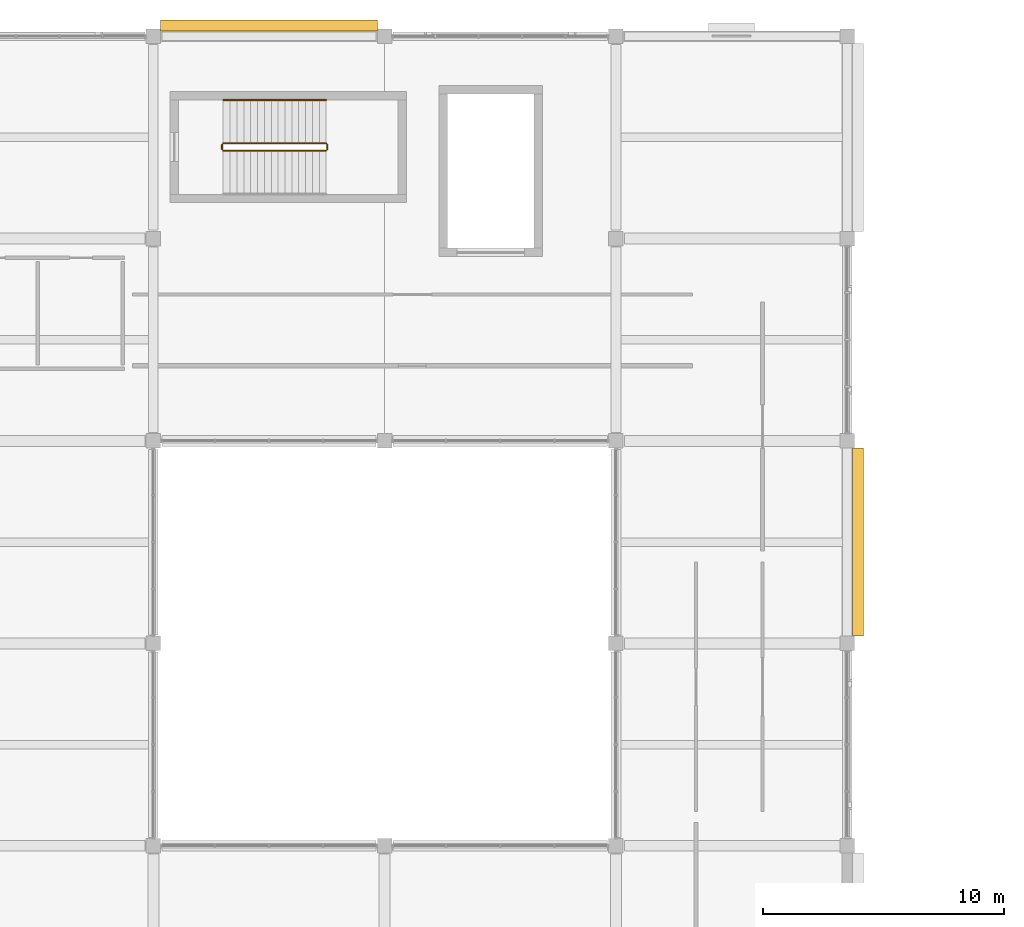
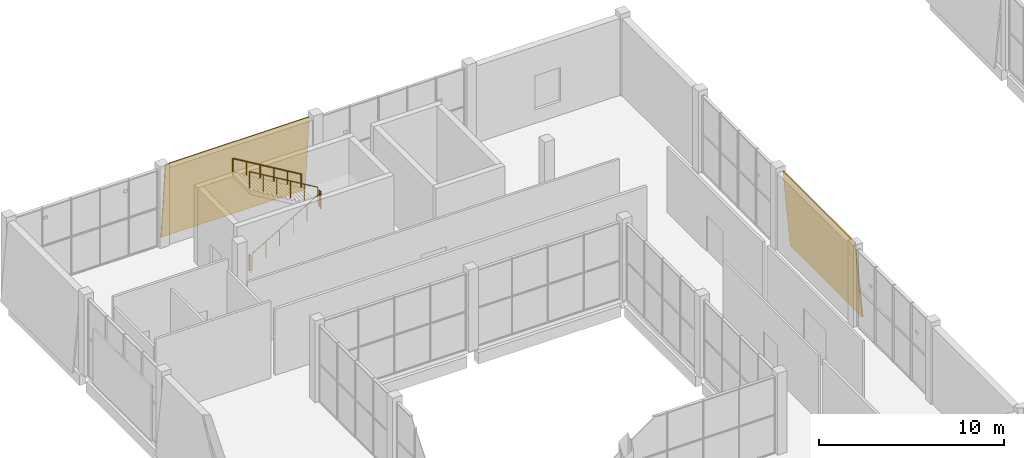
# One storey, part 74 of 83: 5 railings, 2 coverings.
"""IFC4 building model written with IfcOpenShell, lengths in metres."""

from ifc_helpers import new_model, si_unit, direction, frame, origin, origin_2d, place, context, subcontext, project, spatial, polyline, circle, outline, extrude, material, layer, layer_set, type_object, element, save


model = new_model("IFC4")

# Units and contexts
model_context = context("Model", 3, precision=1e-05, world=origin(), true_north=direction((0.0, 1.0)))
body_context = subcontext(model_context, "Body", "Model", "MODEL_VIEW")
ifc_project = project(units=[si_unit("LENGTHUNIT", "METRE"), si_unit("AREAUNIT", "SQUARE_METRE"), si_unit("VOLUMEUNIT", "CUBIC_METRE"), si_unit("PLANEANGLEUNIT", "RADIAN"), si_unit("MASSUNIT", "GRAM", prefix="KILO")], contexts=[model_context])

# Site, building, storey
site_placement = place(None, origin())
site = spatial("IfcSite", under=ifc_project, at=site_placement, CompositionType="ELEMENT")
building_placement = place(site_placement, origin())
building = spatial("IfcBuilding", under=site, at=building_placement, Name="Shalvenor Court Art Gallery", CompositionType="ELEMENT")
storey_placement = place(building_placement, frame((0.0, 0.0, 6.0)))
storey = spatial("IfcBuildingStorey", under=building, at=storey_placement, Name="L01", CompositionType="ELEMENT", Elevation=6.0)

# Coverings
ifc_material_1 = material(Name="Honed Jerusalem limestone cladding", Category="masonry")
ifc_layer = layer(ifc_material_1, 0.06494140625, Name="Honed Jerusalem limestone cladding")
ifc_layer_set = layer_set([ifc_layer], Name="Honed Jerusalem limestone cladding")
covering_type = type_object("IfcCoveringType", Name="CLD-02", PredefinedType="CLADDING", material=ifc_layer_set)
covering_1_placement = place(storey_placement, frame((18.89990234375, 123.072265625, 0.0), z_axis=(0.0, 0.0, 1.0), x_axis=(-1.0, 0.0, 0.0)))
element("IfcCovering", 1, at=covering_1_placement, inside=storey, type_object=covering_type, Name="L01 V5 Tapered Limestone Cladding 99", PredefinedType="CLADDING", context=body_context, shape_type="SweptSolid", body=[
    extrude(outline(polyline([(0.0, 0.0), (9.0, 0.0), (9.0, 5.10107421875), (0.0, 5.10107421875), (0.0, 0.0)])), frame((0.0, 0.0, 0.0), z_axis=(0.0, -0.995884398616, 0.090632580198), x_axis=(1.0, 0.0, 0.0)), (0.0, 0.090632580198, -0.995884398616), 0.080322265625),
])
covering_2_placement = place(storey_placement, frame((39.072265625, 97.5, 0.0), z_axis=(0.0, 0.0, 1.0), x_axis=(0.0, 1.0, 0.0)))
element("IfcCovering", 2, at=covering_2_placement, inside=storey, type_object=covering_type, Name="L01 V5 Tapered Limestone Cladding 101", PredefinedType="CLADDING", context=body_context, shape_type="SweptSolid", body=[
    extrude(outline(polyline([(0.0, 0.0), (7.800048828125, 0.0), (7.800048828125, 5.10107421875), (0.0, 5.10107421875), (0.0, 0.0)])), frame((0.0, 0.0, 0.0), z_axis=(0.0, -0.995884398616, 0.090632580198), x_axis=(1.0, 0.0, 0.0)), (0.0, 0.090632580198, -0.995884398616), 0.080322265625),
])

# Railings
ifc_material_2 = material(Name="Painted steel post-and-rail guard", Category="steel")
railing_type_1 = type_object("IfcRailingType", Name="GR-02", PredefinedType="GUARDRAIL", material=ifc_material_2)
railing_1_placement = place(storey_placement, frame((12.5, 117.64990234375, 0.168701171875)))
element("IfcRailing", 3, at=railing_1_placement, inside=storey, type_object=railing_type_1, Name="L01 ST-06 Stair Guard 1", PredefinedType="GUARDRAIL", context=body_context, shape_type="SweptSolid", body=[
    extrude(circle(Radius=0.02392578125, at=origin_2d()), frame((0.0, 0.0, 1.09619140625), z_axis=(0.860470286479, 0.0, 0.509500624227), x_axis=(0.0, 1.0, 0.0)), (0.0, 0.0, 1.0), 4.968017578125),
    extrude(circle(Radius=0.02099609375, at=origin_2d()), origin(), (0.0, 0.0, 1.0), 1.072021484375),
    extrude(circle(Radius=0.02099609375, at=origin_2d()), frame((0.85498046875, 0.0, 0.50634765625)), (0.0, 0.0, 1.0), 1.072021484375),
    extrude(circle(Radius=0.02099609375, at=origin_2d()), frame((1.7099609375, 0.0, 1.012451171875)), (0.0, 0.0, 1.0), 1.072021484375),
    extrude(circle(Radius=0.02099609375, at=origin_2d()), frame((2.56494140625, 0.0, 1.518798828125)), (0.0, 0.0, 1.0), 1.072021484375),
    extrude(circle(Radius=0.02099609375, at=origin_2d()), frame((3.419921875, 0.0, 2.02490234375)), (0.0, 0.0, 1.0), 1.072021484375),
    extrude(circle(Radius=0.02099609375, at=origin_2d()), frame((4.27490234375, 0.0, 2.53125)), (0.0, 0.0, 1.0), 1.072021484375),
])
railing_2_placement = place(storey_placement, frame((16.824951171875, 117.699951171875, 2.699951171875)))
element("IfcRailing", 4, at=railing_2_placement, inside=storey, type_object=railing_type_1, Name="L01 ST-06 Stair Guard 2", PredefinedType="GUARDRAIL", context=body_context, shape_type="SweptSolid", body=[
    extrude(circle(Radius=0.02392578125, at=origin_2d()), frame((0.0, 0.0, 1.09619140625), z_axis=(0.0, 1.0, 0.0), x_axis=(-1.0, 0.0, 0.0)), (0.0, 0.0, 1.0), 0.199951171875),
    extrude(circle(Radius=0.02099609375, at=origin_2d()), origin(), (0.0, 0.0, 1.0), 1.072021484375),
    extrude(circle(Radius=0.02099609375, at=origin_2d()), frame((0.0, 0.199951171875, 0.0)), (0.0, 0.0, 1.0), 1.072021484375),
])
railing_3_placement = place(storey_placement, frame((16.77490234375, 117.949951171875, 2.86865234375)))
element("IfcRailing", 5, at=railing_3_placement, inside=storey, type_object=railing_type_1, Name="L01 ST-06 Stair Guard 3", PredefinedType="GUARDRAIL", context=body_context, shape_type="SweptSolid", body=[
    extrude(circle(Radius=0.02392578125, at=origin_2d()), frame((0.0, 0.0, 1.09619140625), z_axis=(-0.860470286479, 0.0, 0.509500624227), x_axis=(0.0, -1.0, 0.0)), (0.0, 0.0, 1.0), 4.968017578125),
    extrude(circle(Radius=0.02099609375, at=origin_2d()), origin(), (0.0, 0.0, 1.0), 1.072021484375),
    extrude(circle(Radius=0.02099609375, at=origin_2d()), frame((-0.85498046875, 0.0, 0.50634765625)), (0.0, 0.0, 1.0), 1.072021484375),
    extrude(circle(Radius=0.02099609375, at=origin_2d()), frame((-1.7099609375, 0.0, 1.012451171875)), (0.0, 0.0, 1.0), 1.072021484375),
    extrude(circle(Radius=0.02099609375, at=origin_2d()), frame((-2.56494140625, 0.0, 1.518798828125)), (0.0, 0.0, 1.0), 1.072021484375),
    extrude(circle(Radius=0.02099609375, at=origin_2d()), frame((-3.419921875, 0.0, 2.02490234375)), (0.0, 0.0, 1.0), 1.072021484375),
    extrude(circle(Radius=0.02099609375, at=origin_2d()), frame((-4.27490234375, 0.0, 2.53125)), (0.0, 0.0, 1.0), 1.072021484375),
])
railing_4_placement = place(storey_placement, frame((12.449951171875, 117.699951171875, 0.0)))
element("IfcRailing", 6, at=railing_4_placement, inside=storey, type_object=railing_type_1, Name="L01 ST-06 Stair Guard 4", PredefinedType="GUARDRAIL", context=body_context, shape_type="SweptSolid", body=[
    extrude(circle(Radius=0.02392578125, at=origin_2d()), frame((0.0, 0.0, 1.09619140625), z_axis=(0.0, 1.0, 0.0), x_axis=(-1.0, 0.0, 0.0)), (0.0, 0.0, 1.0), 0.199951171875),
    extrude(circle(Radius=0.02099609375, at=origin_2d()), origin(), (0.0, 0.0, 1.0), 1.072021484375),
    extrude(circle(Radius=0.02099609375, at=origin_2d()), frame((0.0, 0.199951171875, 0.0)), (0.0, 0.0, 1.0), 1.072021484375),
])
ifc_material_3 = material(Name="Brushed stainless steel handrail", Category="steel")
railing_type_2 = type_object("IfcRailingType", Name="HR-01", PredefinedType="HANDRAIL", material=ifc_material_3)
railing_5_placement = place(storey_placement, frame((16.77490234375, 119.75, 2.86865234375)))
element("IfcRailing", 7, at=railing_5_placement, inside=storey, type_object=railing_type_2, Name="L01 ST-06 Stair Handrail 2", PredefinedType="HANDRAIL", context=body_context, shape_type="SweptSolid", body=[
    extrude(circle(Radius=0.02392578125, at=origin_2d()), frame((0.0, 0.0, 0.8759765625), z_axis=(-0.860470286479, 0.0, 0.509500624227), x_axis=(0.0, -1.0, 0.0)), (0.0, 0.0, 1.0), 4.968017578125),
    extrude(circle(Radius=0.02099609375, at=origin_2d()), origin(), (0.0, 0.0, 1.0), 0.851806640625),
    extrude(circle(Radius=0.02099609375, at=origin_2d()), frame((-0.85498046875, 0.0, 0.50634765625)), (0.0, 0.0, 1.0), 0.851806640625),
    extrude(circle(Radius=0.02099609375, at=origin_2d()), frame((-1.7099609375, 0.0, 1.012451171875)), (0.0, 0.0, 1.0), 0.851806640625),
    extrude(circle(Radius=0.02099609375, at=origin_2d()), frame((-2.56494140625, 0.0, 1.518798828125)), (0.0, 0.0, 1.0), 0.851806640625),
    extrude(circle(Radius=0.02099609375, at=origin_2d()), frame((-3.419921875, 0.0, 2.02490234375)), (0.0, 0.0, 1.0), 0.851806640625),
    extrude(circle(Radius=0.02099609375, at=origin_2d()), frame((-4.27490234375, 0.0, 2.53125)), (0.0, 0.0, 1.0), 0.851806640625),
])

save(model, "model.ifc")
